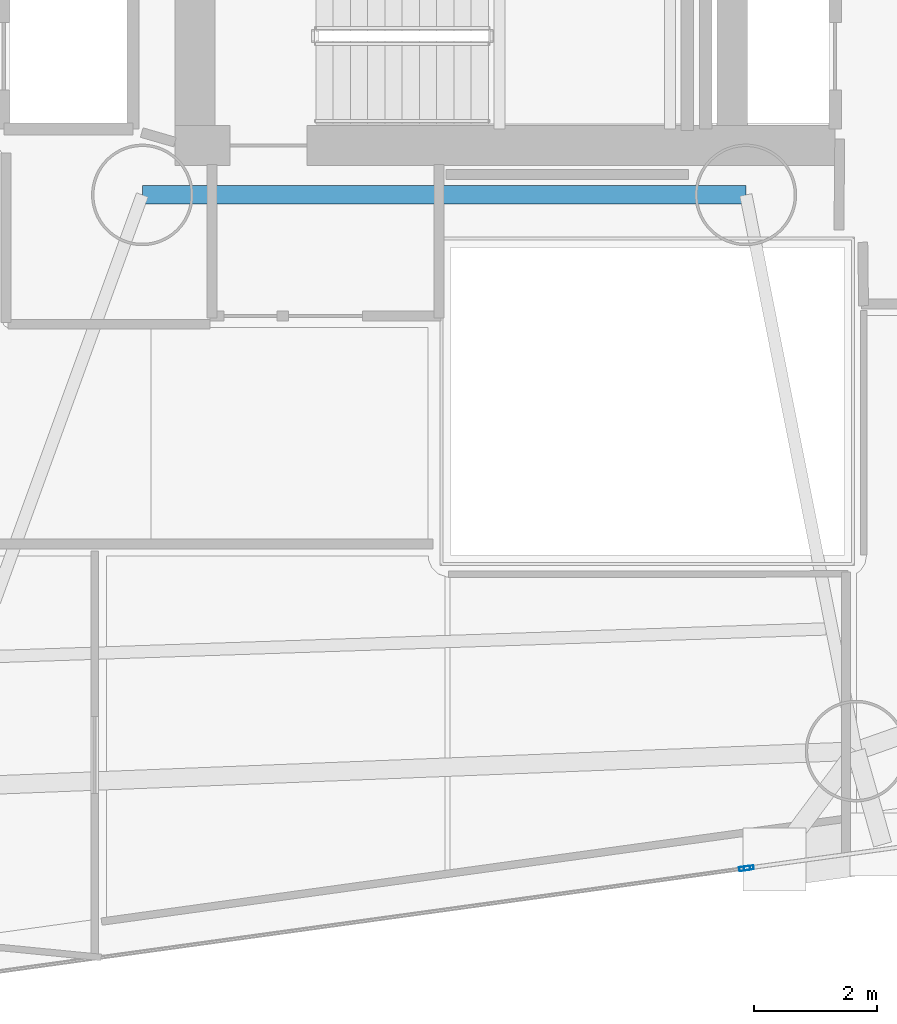
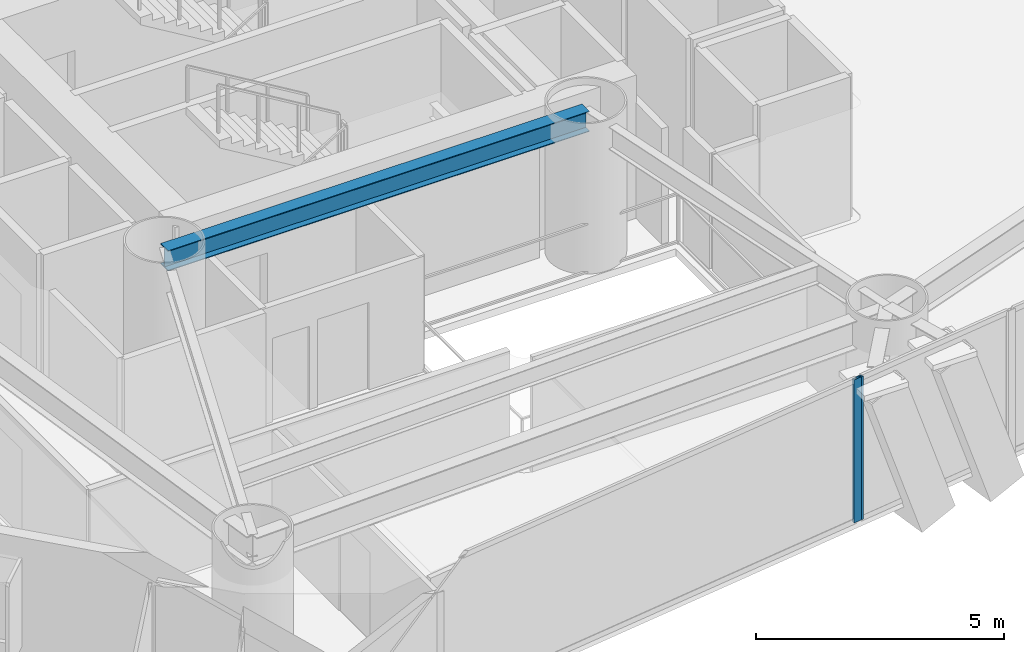
# One storey, part 5 of 23: 2 members, 1 beam, 2 elements without a shape of their own.
"""IFC4 building model written with IfcOpenShell, lengths in metres."""

import ifcopenshell
import ifcopenshell.guid

model = None  # the IFC model being written
_history = None  # IfcOwnerHistory: only IFC2X3 demands one
_inside = {}  # id of a spatial element -> (the spatial element, [elements in it])
_under = {}  # id of a project, library or spatial element -> (it, [spatial elements below it])
_declared = {}  # id of a project -> (the project, [libraries it declares])
_typed = {}  # id of a type object -> (the type object, [elements of that type])
_made_of = {}  # id of a material, layer set ... -> (it, [elements and type objects made of it])


def new_model(schema):
    """Start an empty IFC model of exactly this schema.

    Asked for "IFC4X3", IfcOpenShell would pick the latest addendum, in which some entities
    have other attributes; the version numbers below select the first issue.
    IFC2X3 requires an IfcOwnerHistory on every rooted entity: one is made here for all.
    """
    global model, _history
    if schema == "IFC4X3":
        model = ifcopenshell.file(schema_version=(4, 3, 0, 0))
    else:
        model = ifcopenshell.file(schema=schema)
    _inside.clear()
    _under.clear()
    _declared.clear()
    _typed.clear()
    _made_of.clear()
    _history = None
    if model.schema == "IFC2X3":
        org = make("IfcOrganization", Name="unknown")
        user = make(
            "IfcPersonAndOrganization",
            ThePerson=make("IfcPerson", FamilyName="unknown"),
            TheOrganization=org,
        )
        app = make(
            "IfcApplication",
            ApplicationDeveloper=org,
            Version="unknown",
            ApplicationFullName="unknown",
            ApplicationIdentifier="unknown",
        )
        _history = make(
            "IfcOwnerHistory",
            OwningUser=user,
            OwningApplication=app,
            ChangeAction="ADDED",
            CreationDate=0,
        )
    return model


def make(cls, **values):
    """One entity of the class cls with the attributes given. An attribute that is None is left unset."""
    return model.create_entity(
        cls, **{name: value for name, value in values.items() if value is not None}
    )


def rooted(cls, **values):
    """An entity with a GlobalId (a new one), such as an element, a storey or a relation."""
    return make(cls, GlobalId=ifcopenshell.guid.new(), OwnerHistory=_history, **values)


def si_unit(unit_type, name, prefix=None):
    """IfcSIUnit, for example si_unit("LENGTHUNIT", "METRE", prefix="MILLI")."""
    return make("IfcSIUnit", UnitType=unit_type, Prefix=prefix, Name=name)


def assignment(units):
    """IfcUnitAssignment: the units of a project."""
    return None if units is None else make("IfcUnitAssignment", Units=units)


def point(xyz):
    """IfcCartesianPoint."""
    return None if xyz is None else make("IfcCartesianPoint", Coordinates=xyz)


def direction(xyz):
    """IfcDirection."""
    return None if xyz is None else make("IfcDirection", DirectionRatios=xyz)


def frame(location, z_axis=None, x_axis=None):
    """IfcAxis2Placement3D, a coordinate frame: its origin and axes. An axis left out is left unset."""
    return make(
        "IfcAxis2Placement3D",
        Location=point(location),
        Axis=direction(z_axis),
        RefDirection=direction(x_axis),
    )


def frame_2d(location, x_axis=None):
    """IfcAxis2Placement2D, a coordinate frame in the plane: its origin and x axis."""
    return make(
        "IfcAxis2Placement2D", Location=point(location), RefDirection=direction(x_axis)
    )


def origin():
    """The frame at (0, 0, 0) with its axes left unset."""
    return frame((0.0, 0.0, 0.0))


def origin_2d():
    """The frame at (0, 0) in the plane with its x axis left unset."""
    return frame_2d((0.0, 0.0))


def place(relative_to, where):
    """IfcLocalPlacement: puts the frame where relative to a parent placement (None: the world)."""
    return make(
        "IfcLocalPlacement", PlacementRelTo=relative_to, RelativePlacement=where
    )


def context(
    kind, dimensions, precision=None, world=None, true_north=None, identifier=None
):
    """IfcGeometricRepresentationContext, for example the 3D "Model" context."""
    return make(
        "IfcGeometricRepresentationContext",
        ContextIdentifier=identifier,
        ContextType=kind,
        CoordinateSpaceDimension=dimensions,
        Precision=precision,
        WorldCoordinateSystem=world,
        TrueNorth=true_north,
    )


def subcontext(parent, identifier, kind, view, scale=None):
    """IfcGeometricRepresentationSubContext, for example "Body" below "Model"."""
    return make(
        "IfcGeometricRepresentationSubContext",
        ContextIdentifier=identifier,
        ContextType=kind,
        ParentContext=parent,
        TargetScale=scale,
        TargetView=view,
    )


def project(units=None, contexts=None):
    """IfcProject with its units and contexts."""
    return rooted(
        "IfcProject",
        Name="project",
        RepresentationContexts=contexts,
        UnitsInContext=assignment(units),
    )


def spatial(cls, under=None, at=None, **own):
    """A site, building, storey or space (cls), placed at a placement, below another one or the project."""
    s = rooted(cls, ObjectPlacement=at, **own)
    if under is not None:
        _under.setdefault(under.id(), (under, []))[1].append(s)
    return s


def profile(cls, at=None, kind="AREA", **sizes):
    """A parametric profile (cls). Its sizes go by their IFC names, for example OverallWidth=200.0."""
    return make(cls, ProfileType=kind, Position=at, **sizes)


def hollow_rectangle(**sizes):
    """IfcRectangleHollowProfileDef."""
    return profile("IfcRectangleHollowProfileDef", **sizes)


def i_section(**sizes):
    """IfcIShapeProfileDef."""
    return profile("IfcIShapeProfileDef", **sizes)


def extrude(swept, where, along, depth):
    """IfcExtrudedAreaSolid: the profile swept, set in the frame where, extruded along a direction by depth."""
    return make(
        "IfcExtrudedAreaSolid",
        SweptArea=swept,
        Position=where,
        ExtrudedDirection=direction(along),
        Depth=depth,
    )


def shape(context_of_items, identifier, shape_type, items):
    """IfcShapeRepresentation: the items that make up one representation, for example the "Body"."""
    return make(
        "IfcShapeRepresentation",
        ContextOfItems=context_of_items,
        RepresentationIdentifier=identifier,
        RepresentationType=shape_type,
        Items=items,
    )


def material(Name=None, Category=None):
    """IfcMaterial."""
    return make("IfcMaterial", Name=Name, Category=Category)


def layer(
    of_material, thickness, ventilated=None, Name=None, Category=None, Priority=None
):
    """IfcMaterialLayer: one layer of a wall or slab, of a material (None: an air gap)."""
    return make(
        "IfcMaterialLayer",
        Material=of_material,
        LayerThickness=thickness,
        IsVentilated=ventilated,
        Name=Name,
        Category=Category,
        Priority=Priority,
    )


def layer_set(layers, Name=None):
    """IfcMaterialLayerSet."""
    return make("IfcMaterialLayerSet", MaterialLayers=layers, LayerSetName=Name)


def material_profile(
    of_material, cross_section, Name=None, Category=None, Priority=None
):
    """IfcMaterialProfile: a cross section and its material."""
    return make(
        "IfcMaterialProfile",
        Name=Name,
        Material=of_material,
        Profile=cross_section,
        Priority=Priority,
        Category=Category,
    )


def profile_set(profiles, Name=None, composite=None):
    """IfcMaterialProfileSet."""
    return make(
        "IfcMaterialProfileSet",
        Name=Name,
        MaterialProfiles=profiles,
        CompositeProfile=composite,
    )


def made_of(thing, what):
    """Note that an element or type object is made of a material, layer set ...; save() writes the relation."""
    if what is not None:
        _made_of.setdefault(what.id(), (what, []))[1].append(thing)
    return thing


def type_object(cls, material=None, **own):
    """A type object (cls), such as IfcWallType, which elements share."""
    return made_of(rooted(cls, **own), material)


def element(
    cls,
    number,
    at=None,
    inside=None,
    cuts=None,
    type_object=None,
    material=None,
    context=None,
    identifier="Body",
    shape_type=None,
    held_by="IfcProductDefinitionShape",
    body=None,
    shapes=None,
    **own,
):
    """One element of the class cls, such as IfcWall. Its Tag is "e" and its number.

    at: its placement. inside: the storey or other place that contains it. cuts: it is an
    opening in that element (IfcRelVoidsElement). A single representation is given by context,
    identifier, shape_type and body (its items); several are given by shapes. held_by: the class
    of the entity that holds the representations. save() writes the other relations.
    """
    e = rooted(cls, Tag="e%d" % number, ObjectPlacement=at, **own)
    if body is not None:
        shapes = [shape(context, identifier, shape_type, body)]
    if shapes is not None:
        e.Representation = make(held_by, Representations=shapes)
    if inside is not None:
        _inside.setdefault(inside.id(), (inside, []))[1].append(e)
    if cuts is not None:
        rooted(
            "IfcRelVoidsElement", RelatingBuildingElement=cuts, RelatedOpeningElement=e
        )
    if type_object is not None:
        _typed.setdefault(type_object.id(), (type_object, []))[1].append(e)
    return made_of(e, material)


def aggregate(whole, parts):
    """IfcRelAggregates: a whole, such as a stair, and the parts it consists of."""
    return rooted("IfcRelAggregates", RelatingObject=whole, RelatedObjects=parts)


def save(model, path):
    """Write the relations noted so far, then the file.

    IfcRelAggregates (storeys below a building ...), IfcRelContainedInSpatialStructure (elements
    in a storey), IfcRelDefinesByType, IfcRelAssociatesMaterial and IfcRelDeclares: one each for
    every whole, place, type object, material and project.
    """
    for whole, parts in _under.values():
        aggregate(whole, parts)
    for where, things in _inside.values():
        rooted(
            "IfcRelContainedInSpatialStructure",
            RelatedElements=things,
            RelatingStructure=where,
        )
    for kind, things in _typed.values():
        rooted("IfcRelDefinesByType", RelatedObjects=things, RelatingType=kind)
    for what, things in _made_of.values():
        rooted("IfcRelAssociatesMaterial", RelatedObjects=things, RelatingMaterial=what)
    for by, libraries in _declared.values():
        rooted("IfcRelDeclares", RelatingContext=by, RelatedDefinitions=libraries)
    model.write(path)


model = new_model("IFC4")

# Units and contexts
model_context = context("Model", 3, precision=1e-05, world=origin(), true_north=direction((0.0, 1.0)))
body_context = subcontext(model_context, "Body", "Model", "MODEL_VIEW")
ifc_project = project(units=[si_unit("LENGTHUNIT", "METRE"), si_unit("AREAUNIT", "SQUARE_METRE"), si_unit("VOLUMEUNIT", "CUBIC_METRE"), si_unit("PLANEANGLEUNIT", "RADIAN"), si_unit("MASSUNIT", "GRAM", prefix="KILO")], contexts=[model_context])

# Site, building, storey
site_placement = place(None, origin())
site = spatial("IfcSite", under=ifc_project, at=site_placement, CompositionType="ELEMENT")
building_placement = place(site_placement, origin())
building = spatial("IfcBuilding", under=site, at=building_placement, Name="Qianvela Tower", CompositionType="ELEMENT")
storey_placement = place(building_placement, frame((0.0, 0.0, 74.699951171875)))
storey = spatial("IfcBuildingStorey", under=building, at=storey_placement, Name="L18", CompositionType="ELEMENT", Elevation=74.699951171875)

# Beam
ifc_material_1 = material(Name="Steel Q355B", Category="steel")
ifc_material_profile_1 = material_profile(ifc_material_1, i_section(OverallWidth=0.300048828125, OverallDepth=0.5, WebThickness=0.010986328125, FlangeThickness=0.01806640625, at=origin_2d()), Name="HM500x300x11x18")
ifc_profile_set_1 = profile_set([ifc_material_profile_1], Name="Steel Q355B")
beam_type = type_object("IfcBeamType", Name="BM-HM500-COLL", PredefinedType="BEAM", material=ifc_profile_set_1)
beam_placement = place(storey_placement, frame((28.60009765625, 23.85009765625, 3.26806640625), z_axis=(1.0, 0.0, 0.0), x_axis=(0.0, 1.0, 0.0)))
element("IfcBeam", 1, at=beam_placement, inside=storey, type_object=beam_type, Name="L18 Core Ring Collector Girder CC1", PredefinedType="BEAM", context=body_context, shape_type="SweptSolid", body=[
    extrude(i_section(OverallWidth=0.300048828125, OverallDepth=0.5, WebThickness=0.010986328125, FlangeThickness=0.01806640625, at=origin_2d()), origin(), (0.0, 0.0, 1.0), 9.7998046875),
])

# Curtain wall, member
ifc_material_2 = material(Name="Anodised Architectural Aluminium and Insulated Spandrel Panel", Category="aluminium")
ifc_layer_1 = layer(ifc_material_2, 0.179931640625)
ifc_layer_set_1 = layer_set([ifc_layer_1], Name="Anodised Architectural Aluminium and Insulated Spandrel Panel")
curtain_wall_type_1 = type_object("IfcCurtainWallType", Name="CW-BRACEBAY", PredefinedType="USERDEFINED", material=ifc_layer_set_1)
curtain_wall_1_placement = place(storey_placement, origin())
curtain_wall_1 = element("IfcCurtainWall", 2, at=curtain_wall_1_placement, inside=storey, type_object=curtain_wall_type_1, Name="L18 CW-BRACEBAY Curtain Wall 06B", ObjectType="CURTAIN_WALL_SYSTEM", PredefinedType="USERDEFINED")
ifc_material_3 = material(Name="Anodised Architectural Aluminium 6063-T6", Category="aluminium")
ifc_material_profile_2 = material_profile(ifc_material_3, hollow_rectangle(XDim=0.06494140625, YDim=0.159912109375, WallThickness=0.0048828125, at=origin_2d()), Name="ALU-MULL-65x160")
ifc_profile_set_2 = profile_set([ifc_material_profile_2], Name="Anodised Architectural Aluminium 6063-T6")
member_type_1 = type_object("IfcMemberType", Name="CW-BRACEBAY-MULL", PredefinedType="MULLION", material=ifc_profile_set_2)
member_1_placement = place(storey_placement, frame((38.448486328125, 12.921875, 0.0), z_axis=(0.0, 0.0, 1.0), x_axis=(-0.136977529545, 0.990574154922, 0.0)))
member_1 = element("IfcMember", 3, at=member_1_placement, type_object=member_type_1, Name="CW-9 mullion 1", PredefinedType="MULLION", context=body_context, shape_type="SweptSolid", body=[
    extrude(hollow_rectangle(XDim=0.06494140625, YDim=0.159912109375, WallThickness=0.0048828125, at=origin_2d()), origin(), (0.0, 0.0, 1.0), 3.52001953125),
])
aggregate(curtain_wall_1, [member_1])

ifc_material_4 = material(Name="Anodised Architectural Aluminium and Low-E Glass", Category="aluminium")
ifc_layer_2 = layer(ifc_material_4, 0.179931640625)
ifc_layer_set_2 = layer_set([ifc_layer_2], Name="Anodised Architectural Aluminium and Low-E Glass")
curtain_wall_type_2 = type_object("IfcCurtainWallType", Name="CW-COLIV-Z12", PredefinedType="USERDEFINED", material=ifc_layer_set_2)
curtain_wall_2_placement = place(storey_placement, origin())
curtain_wall_2 = element("IfcCurtainWall", 4, at=curtain_wall_2_placement, inside=storey, type_object=curtain_wall_type_2, Name="L18 CW-COLIV-Z12 Curtain Wall 06A", ObjectType="CURTAIN_WALL_SYSTEM", PredefinedType="USERDEFINED")
ifc_material_5 = material(Name="Anodised Architectural Aluminium 6063-T6", Category="aluminium")
ifc_material_profile_3 = material_profile(ifc_material_5, hollow_rectangle(XDim=0.070068359375, YDim=0.179931640625, WallThickness=0.0048828125, at=origin_2d()), Name="ALU-MULL-70x180")
ifc_profile_set_3 = profile_set([ifc_material_profile_3], Name="Anodised Architectural Aluminium 6063-T6")
member_type_2 = type_object("IfcMemberType", Name="CW-COLIV-Z12-MULL", PredefinedType="MULLION", material=ifc_profile_set_3)
member_2_placement = place(storey_placement, frame((38.381591796875, 12.91259765625, 0.0), z_axis=(0.0, 0.0, 1.0), x_axis=(-0.136980643219, 0.990573724355, 0.0)))
member_2 = element("IfcMember", 5, at=member_2_placement, type_object=member_type_2, Name="CW-3 mullion 2", PredefinedType="MULLION", context=body_context, shape_type="SweptSolid", body=[
    extrude(hollow_rectangle(XDim=0.070068359375, YDim=0.179931640625, WallThickness=0.0048828125, at=origin_2d()), origin(), (0.0, 0.0, 1.0), 3.52001953125),
])
aggregate(curtain_wall_2, [member_2])

save(model, "model.ifc")
